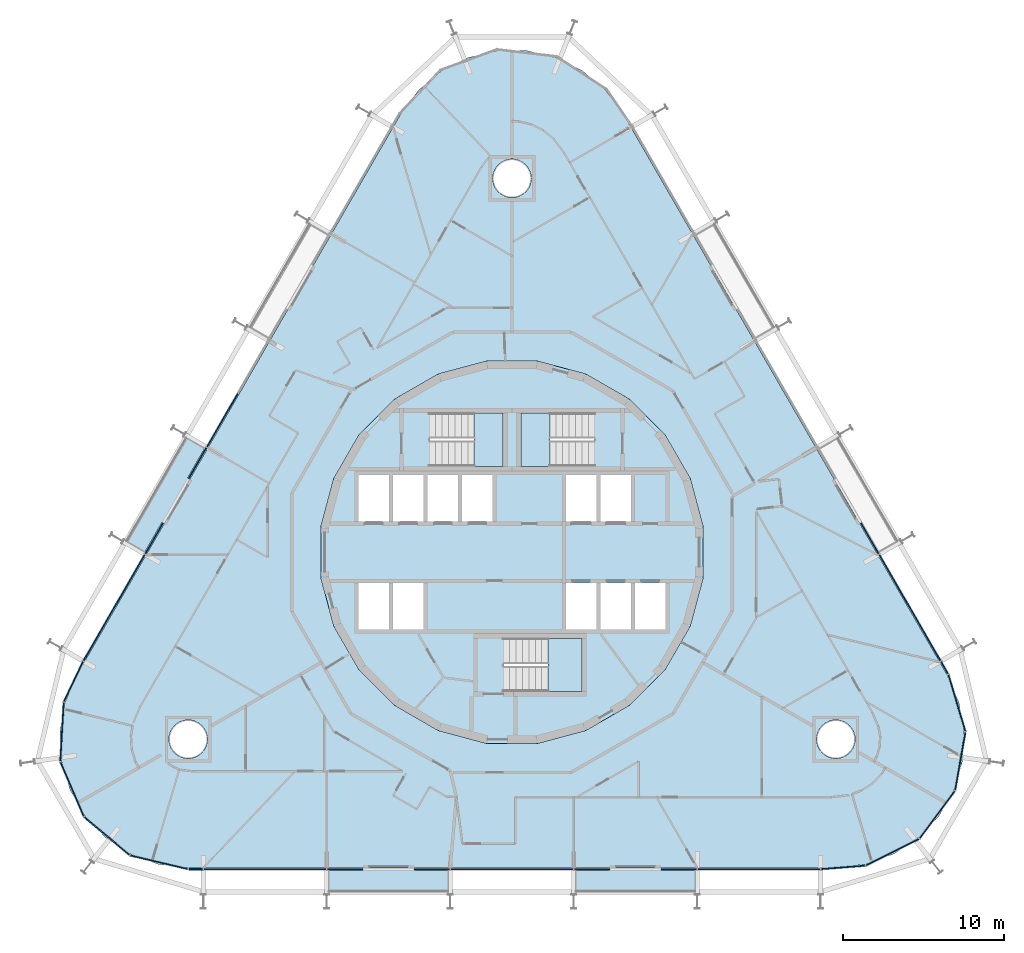
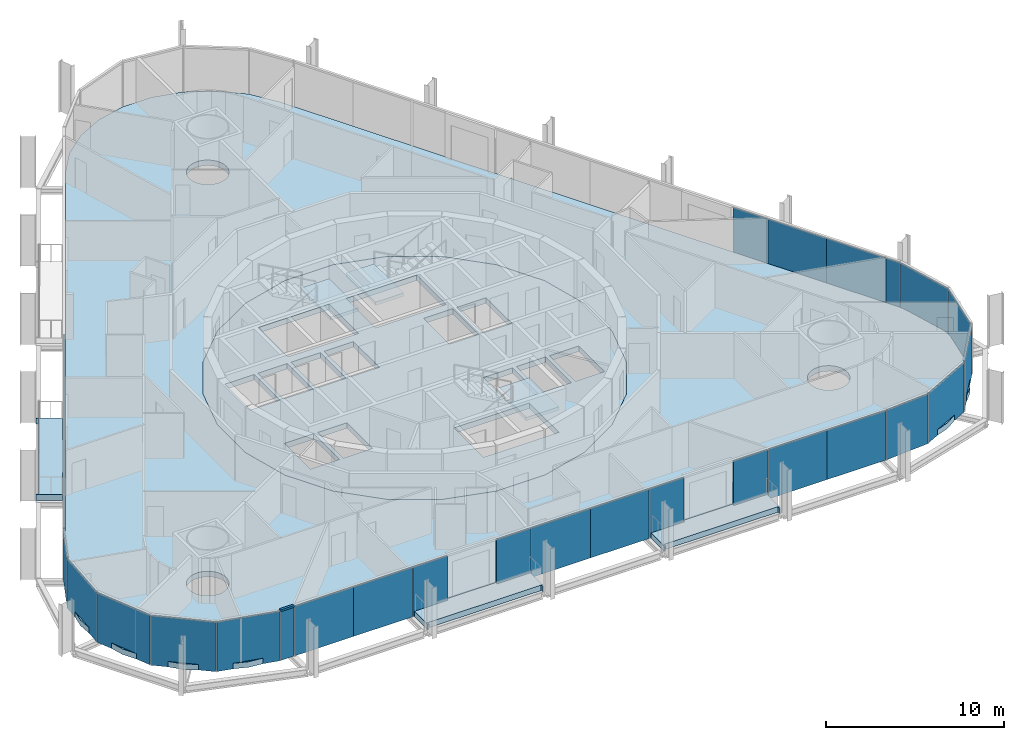
# One storey, part 11 of 20: 30 plates, 8 slabs, 1 member, 8 elements without a shape of their own.
"""IFC4 building model written with IfcOpenShell, lengths in metres."""

from ifc_helpers import new_model, si_unit, direction, frame, origin, origin_2d, place, context, subcontext, project, spatial, polyline, rectangle, outline, extrude, material, layer, layer_set, material_profile, profile_set, type_object, element, aggregate, save


model = new_model("IFC4")

# Units and contexts
model_context = context("Model", 3, precision=1e-05, world=origin(), true_north=direction((0.0, 1.0)))
body_context = subcontext(model_context, "Body", "Model", "MODEL_VIEW")
ifc_project = project(units=[si_unit("LENGTHUNIT", "METRE"), si_unit("AREAUNIT", "SQUARE_METRE"), si_unit("VOLUMEUNIT", "CUBIC_METRE"), si_unit("PLANEANGLEUNIT", "RADIAN"), si_unit("MASSUNIT", "GRAM", prefix="KILO")], contexts=[model_context])

# Site, building, storey
site_placement = place(None, origin())
site = spatial("IfcSite", under=ifc_project, at=site_placement, CompositionType="ELEMENT")
building_placement = place(site_placement, origin())
building = spatial("IfcBuilding", under=site, at=building_placement, Name="Spindle Arch Residences", CompositionType="ELEMENT")
storey_placement = place(building_placement, frame((0.0, 0.0, 59.39990234375)))
storey = spatial("IfcBuildingStorey", under=building, at=storey_placement, Name="L13", CompositionType="ELEMENT", Elevation=59.39990234375)

# Curtain wall, member
ifc_material_1 = material(Name="Aluminium bronze unitised frame with tinted glass", Category="aluminium")
ifc_layer_1 = layer(ifc_material_1, 0.159912109375)
ifc_layer_set_1 = layer_set([ifc_layer_1], Name="CW-D corner wall on the fillet arcs")
curtain_wall_type_1 = type_object("IfcCurtainWallType", Name="CW-D corner wall on the fillet arcs", PredefinedType="NOTDEFINED", material=ifc_layer_set_1)
curtain_wall_1_placement = place(storey_placement, origin())
curtain_wall_1 = element("IfcCurtainWall", 1, at=curtain_wall_1_placement, inside=storey, type_object=curtain_wall_type_1, Name="CW-D L13 run 5", PredefinedType="NOTDEFINED")
ifc_material_2 = material(Name="Aluminium bronze anodised transom", Category="aluminium")
ifc_material_profile = material_profile(ifc_material_2, rectangle(XDim=0.159912109375, YDim=0.1201171875, at=origin_2d()), Name="TR 120x160")
ifc_profile_set = profile_set([ifc_material_profile], Name="Aluminium bronze anodised transom")
member_type = type_object("IfcMemberType", Name="Bronze transom 120x160", PredefinedType="USERDEFINED", material=ifc_profile_set)
member_placement = place(storey_placement, frame((-20.113525390625, -19.7099609375, 3.06005859375), z_axis=(1.0, 0.0, 0.0), x_axis=(0.0, 1.0, 0.0)))
member = element("IfcMember", 2, at=member_placement, type_object=member_type, Name="CW-D transom 05", ObjectType="TRANSOM", PredefinedType="USERDEFINED", context=body_context, shape_type="SweptSolid", body=[
    extrude(rectangle(XDim=0.159912109375, YDim=0.1201171875, at=origin_2d()), origin(), (0.0, 0.0, 1.0), 0.88330078125),
])

# Slabs
ifc_material_3 = material(Name="Concrete C40/50", Category="concrete")
ifc_layer_2 = layer(ifc_material_3, 0.3798828125)
ifc_layer_set_2 = layer_set([ifc_layer_2], Name="Balcony slab 380")
slab_type_1 = type_object("IfcSlabType", Name="Balcony slab 380", PredefinedType="FLOOR", material=ifc_layer_set_2)
slab_1_placement = place(storey_placement, frame((0.0, 0.0, -0.3798828125)))
element("IfcSlab", 3, at=slab_1_placement, inside=storey, type_object=slab_type_1, Name="Balcony L13 bay 1", PredefinedType="FLOOR", context=body_context, shape_type="SweptSolid", body=[
    extrude(outline(polyline([(3.9150390625, -21.280029296875), (3.989990234375, -21.280029296875), (3.989990234375, -21.1298828125), (11.3701171875, -21.1298828125), (11.3701171875, -21.280029296875), (11.445068359375, -21.280029296875), (11.445068359375, -19.789794921875), (9.280029296875, -19.789794921875), (9.280029296875, -19.6298828125), (6.080078125, -19.6298828125), (6.080078125, -19.789794921875), (3.9150390625, -19.789794921875), (3.9150390625, -21.280029296875)])), origin(), (0.0, 0.0, 1.0), 0.3798828125),
])
slab_2_placement = place(storey_placement, frame((0.0, 0.0, -0.3798828125)))
element("IfcSlab", 4, at=slab_2_placement, inside=storey, type_object=slab_type_1, Name="Balcony L13 bay 17", PredefinedType="FLOOR", context=body_context, shape_type="SweptSolid", body=[
    extrude(outline(polyline([(-20.386474609375, 7.24951171875), (-20.424072265625, 7.1845703125), (-20.2939453125, 7.109375), (-23.984130859375, 0.71826171875), (-24.114013671875, 0.793212890625), (-24.151611328125, 0.728271484375), (-22.861083984375, -0.016845703125), (-21.778564453125, 1.858154296875), (-21.64013671875, 1.778076171875), (-20.0400390625, 4.549560546875), (-20.1787109375, 4.62939453125), (-19.09619140625, 6.50439453125), (-20.386474609375, 7.24951171875)])), origin(), (0.0, 0.0, 1.0), 0.3798828125),
])
slab_3_placement = place(storey_placement, frame((0.0, 0.0, -0.3798828125)))
element("IfcSlab", 5, at=slab_3_placement, inside=storey, type_object=slab_type_1, Name="Balcony L13 bay 23", PredefinedType="FLOOR", context=body_context, shape_type="SweptSolid", body=[
    extrude(outline(polyline([(-11.445068359375, -21.280029296875), (-11.3701171875, -21.280029296875), (-11.3701171875, -21.1298828125), (-3.989990234375, -21.1298828125), (-3.989990234375, -21.280029296875), (-3.9150390625, -21.280029296875), (-3.9150390625, -19.789794921875), (-6.080078125, -19.789794921875), (-6.080078125, -19.6298828125), (-9.280029296875, -19.6298828125), (-9.280029296875, -19.789794921875), (-11.445068359375, -19.789794921875), (-11.445068359375, -21.280029296875)])), origin(), (0.0, 0.0, 1.0), 0.3798828125),
])
ifc_material_4 = material(Name="Concrete C50/60", Category="concrete")
ifc_layer_3 = layer(ifc_material_4, 0.3798828125)
ifc_layer_set_3 = layer_set([ifc_layer_3], Name="Core floor slab 380")
slab_type_2 = type_object("IfcSlabType", Name="Core floor slab 380", PredefinedType="FLOOR", material=ifc_layer_set_3)
slab_4_placement = place(storey_placement, frame((0.0, 0.0, -0.3798828125)))
element("IfcSlab", 6, at=slab_4_placement, inside=storey, type_object=slab_type_2, Name="Core floor L13", PredefinedType="FLOOR", context=body_context, shape_type="SweptSolid", body=[
    extrude(outline(polyline([(1.56640625, -11.897216796875), (4.59228515625, -11.086669921875), (7.30517578125, -9.520263671875), (9.520263671875, -7.30517578125), (11.086669921875, -4.59228515625), (11.897216796875, -1.56640625), (11.897216796875, 1.56640625), (11.086669921875, 4.59228515625), (9.520263671875, 7.30517578125), (7.30517578125, 9.520263671875), (4.59228515625, 11.086669921875), (1.56640625, 11.897216796875), (-1.56640625, 11.897216796875), (-4.59228515625, 11.086669921875), (-7.30517578125, 9.520263671875), (-9.520263671875, 7.30517578125), (-11.086669921875, 4.59228515625), (-11.897216796875, 1.56640625), (-11.897216796875, -1.56640625), (-11.086669921875, -4.59228515625), (-9.520263671875, -7.30517578125), (-7.30517578125, -9.520263671875), (-4.59228515625, -11.086669921875), (-1.56640625, -11.897216796875), (1.56640625, -11.897216796875)]), holes=[polyline([(-9.550048828125, 1.89990234375), (-7.64990234375, 1.89990234375), (-7.64990234375, 4.800048828125), (-9.550048828125, 4.800048828125), (-9.550048828125, 1.89990234375)]), polyline([(-7.39990234375, 1.89990234375), (-5.5, 1.89990234375), (-5.5, 4.800048828125), (-7.39990234375, 4.800048828125), (-7.39990234375, 1.89990234375)]), polyline([(-5.25, 1.89990234375), (-3.35009765625, 1.89990234375), (-3.35009765625, 4.800048828125), (-5.25, 4.800048828125), (-5.25, 1.89990234375)]), polyline([(-3.10009765625, 1.89990234375), (-1.199951171875, 1.89990234375), (-1.199951171875, 4.800048828125), (-3.10009765625, 4.800048828125), (-3.10009765625, 1.89990234375)]), polyline([(3.35009765625, 1.89990234375), (5.25, 1.89990234375), (5.25, 4.800048828125), (3.35009765625, 4.800048828125), (3.35009765625, 1.89990234375)]), polyline([(5.5, 1.89990234375), (7.39990234375, 1.89990234375), (7.39990234375, 4.800048828125), (5.5, 4.800048828125), (5.5, 1.89990234375)]), polyline([(-9.550048828125, -4.800048828125), (-7.64990234375, -4.800048828125), (-7.64990234375, -1.89990234375), (-9.550048828125, -1.89990234375), (-9.550048828125, -4.800048828125)]), polyline([(-7.39990234375, -4.800048828125), (-5.5, -4.800048828125), (-5.5, -1.89990234375), (-7.39990234375, -1.89990234375), (-7.39990234375, -4.800048828125)]), polyline([(3.35009765625, -4.800048828125), (5.25, -4.800048828125), (5.25, -1.89990234375), (3.35009765625, -1.89990234375), (3.35009765625, -4.800048828125)]), polyline([(5.5, -4.800048828125), (7.39990234375, -4.800048828125), (7.39990234375, -1.89990234375), (5.5, -1.89990234375), (5.5, -4.800048828125)]), polyline([(7.64990234375, -4.800048828125), (9.550048828125, -4.800048828125), (9.550048828125, -1.89990234375), (7.64990234375, -1.89990234375), (7.64990234375, -4.800048828125)]), polyline([(5.1298828125, 8.669921875), (0.550048828125, 8.669921875), (0.550048828125, 5.35009765625), (5.1298828125, 5.35009765625), (5.1298828125, 8.669921875)]), polyline([(-5.1298828125, 5.35009765625), (-0.550048828125, 5.35009765625), (-0.550048828125, 8.669921875), (-5.1298828125, 8.669921875), (-5.1298828125, 5.35009765625)]), polyline([(-0.530029296875, -8.669921875), (4.35009765625, -8.669921875), (4.35009765625, -5.35009765625), (-0.530029296875, -5.35009765625), (-0.530029296875, -8.669921875)])]), origin(), (0.0, 0.0, 1.0), 0.3798828125),
])

# Stair, slab
ifc_material_5 = material(Name="Concrete C50/60", Category="concrete")
stair_type = type_object("IfcStairType", Name="Exit stair 16 risers", PredefinedType="HALF_TURN_STAIR", material=ifc_material_5)
stair_1_placement = place(storey_placement, origin())
stair_1 = element("IfcStair", 7, at=stair_1_placement, inside=storey, type_object=stair_type, Name="L13 Exit stair ST1", PredefinedType="HALF_TURN_STAIR")
ifc_material_6 = material(Name="Concrete C50/60", Category="concrete")
ifc_layer_4 = layer(ifc_material_6, 0.219970703125)
ifc_layer_set_4 = layer_set([ifc_layer_4], Name="Exit stair landing 220")
slab_type_3 = type_object("IfcSlabType", Name="Exit stair landing 220", PredefinedType="LANDING", material=ifc_layer_set_4)
slab_5_placement = place(storey_placement, frame((0.0, 0.0, 1.530029296875)))
slab_5 = element("IfcSlab", 8, at=slab_5_placement, type_object=slab_type_3, Name="ST1 landing 1", PredefinedType="LANDING", context=body_context, shape_type="SweptSolid", body=[
    extrude(outline(polyline([(2.3701171875, 8.669921875), (0.550048828125, 8.669921875), (0.550048828125, 5.35009765625), (2.3701171875, 5.35009765625), (2.3701171875, 8.669921875)])), origin(), (0.0, 0.0, 1.0), 0.219970703125),
])
aggregate(stair_1, [slab_5])

stair_2_placement = place(storey_placement, origin())
stair_2 = element("IfcStair", 9, at=stair_2_placement, inside=storey, type_object=stair_type, Name="L13 Exit stair ST2", PredefinedType="HALF_TURN_STAIR")
slab_6_placement = place(storey_placement, frame((0.0, 0.0, 1.530029296875)))
slab_6 = element("IfcSlab", 10, at=slab_6_placement, type_object=slab_type_3, Name="ST2 landing 1", PredefinedType="LANDING", context=body_context, shape_type="SweptSolid", body=[
    extrude(outline(polyline([(-2.3701171875, 5.35009765625), (-0.550048828125, 5.35009765625), (-0.550048828125, 8.669921875), (-2.3701171875, 8.669921875), (-2.3701171875, 5.35009765625)])), origin(), (0.0, 0.0, 1.0), 0.219970703125),
])
aggregate(stair_2, [slab_6])

stair_3_placement = place(storey_placement, origin())
stair_3 = element("IfcStair", 11, at=stair_3_placement, inside=storey, type_object=stair_type, Name="L13 Exit stair ST3", PredefinedType="HALF_TURN_STAIR")
slab_7_placement = place(storey_placement, frame((0.0, 0.0, 1.530029296875)))
slab_7 = element("IfcSlab", 12, at=slab_7_placement, type_object=slab_type_3, Name="ST3 landing 1", PredefinedType="LANDING", context=body_context, shape_type="SweptSolid", body=[
    extrude(outline(polyline([(2.22998046875, -8.669921875), (4.35009765625, -8.669921875), (4.35009765625, -5.35009765625), (2.22998046875, -5.35009765625), (2.22998046875, -8.669921875)])), origin(), (0.0, 0.0, 1.0), 0.219970703125),
])
aggregate(stair_3, [slab_7])

# Slab
ifc_material_7 = material(Name="Concrete C40/50", Category="concrete")
ifc_layer_5 = layer(ifc_material_7, 0.3798828125)
ifc_layer_set_5 = layer_set([ifc_layer_5], Name="Floor slab 380")
slab_type_4 = type_object("IfcSlabType", Name="Floor slab 380", PredefinedType="FLOOR", material=ifc_layer_set_5)
slab_8_placement = place(storey_placement, frame((0.0, 0.0, -0.3798828125)))
element("IfcSlab", 13, at=slab_8_placement, inside=storey, type_object=slab_type_4, Name="Floor slab L13", PredefinedType="FLOOR", context=body_context, shape_type="SweptSolid", body=[
    extrude(outline(polyline([(-21.988525390625, -19.414306640625), (-23.73388671875, -18.779052734375), (-25.285888671875, -17.75830078125), (-26.560546875, -16.4072265625), (-27.4892578125, -14.798583984375), (-28.022216796875, -13.01904296875), (-28.130126953125, -11.164794921875), (-27.8076171875, -9.33544921875), (-27.07177734375, -7.6298828125), (-6.92822265625, 27.259765625), (-5.819091796875, 28.749755859375), (-4.39599609375, 29.943603515625), (-2.736083984375, 30.77734375), (-0.9287109375, 31.205810546875), (0.9287109375, 31.205810546875), (2.736083984375, 30.77734375), (4.39599609375, 29.943603515625), (5.819091796875, 28.749755859375), (6.92822265625, 27.259765625), (27.07177734375, -7.6298828125), (27.8076171875, -9.33544921875), (28.130126953125, -11.164794921875), (28.022216796875, -13.01904296875), (27.4892578125, -14.798583984375), (26.560546875, -16.4072265625), (25.285888671875, -17.75830078125), (23.73388671875, -18.779052734375), (21.988525390625, -19.414306640625), (20.1435546875, -19.6298828125), (0.0, -19.6298828125), (-20.1435546875, -19.6298828125), (-21.988525390625, -19.414306640625)]), holes=[polyline([(7.30517578125, -9.520263671875), (9.520263671875, -7.30517578125), (11.086669921875, -4.59228515625), (11.897216796875, -1.56640625), (11.897216796875, 1.56640625), (11.086669921875, 4.59228515625), (9.520263671875, 7.30517578125), (7.30517578125, 9.520263671875), (4.59228515625, 11.086669921875), (1.56640625, 11.897216796875), (-1.56640625, 11.897216796875), (-4.59228515625, 11.086669921875), (-7.30517578125, 9.520263671875), (-9.520263671875, 7.30517578125), (-11.086669921875, 4.59228515625), (-11.897216796875, 1.56640625), (-11.897216796875, -1.56640625), (-11.086669921875, -4.59228515625), (-9.520263671875, -7.30517578125), (-7.30517578125, -9.520263671875), (-4.59228515625, -11.086669921875), (-1.56640625, -11.897216796875), (1.56640625, -11.897216796875), (4.59228515625, -11.086669921875), (7.30517578125, -9.520263671875)]), polyline([(-19.295166015625, -12.478515625), (-19.145751953125, -12.296630859375), (-19.034912109375, -12.089111328125), (-18.966796875, -11.864013671875), (-18.943603515625, -11.6298828125), (-18.966796875, -11.395751953125), (-19.034912109375, -11.170654296875), (-19.145751953125, -10.963134765625), (-19.295166015625, -10.781494140625), (-19.476806640625, -10.632080078125), (-19.684326171875, -10.521240234375), (-19.909423828125, -10.452880859375), (-20.1435546875, -10.429931640625), (-20.377685546875, -10.452880859375), (-20.602783203125, -10.521240234375), (-20.810302734375, -10.632080078125), (-20.9921875, -10.781494140625), (-21.141357421875, -10.963134765625), (-21.252197265625, -11.170654296875), (-21.320556640625, -11.395751953125), (-21.343505859375, -11.6298828125), (-21.320556640625, -11.864013671875), (-21.252197265625, -12.089111328125), (-21.141357421875, -12.296630859375), (-20.9921875, -12.478515625), (-20.810302734375, -12.627685546875), (-20.602783203125, -12.738525390625), (-20.377685546875, -12.806884765625), (-20.1435546875, -12.829833984375), (-19.909423828125, -12.806884765625), (-19.684326171875, -12.738525390625), (-19.476806640625, -12.627685546875), (-19.295166015625, -12.478515625)]), polyline([(0.848388671875, 22.411376953125), (0.997802734375, 22.593017578125), (1.108642578125, 22.800537109375), (1.177001953125, 23.025634765625), (1.199951171875, 23.259765625), (1.177001953125, 23.493896484375), (1.108642578125, 23.718994140625), (0.997802734375, 23.926513671875), (0.848388671875, 24.1083984375), (0.666748046875, 24.257568359375), (0.459228515625, 24.368408203125), (0.234130859375, 24.436767578125), (0.0, 24.459716796875), (-0.234130859375, 24.436767578125), (-0.459228515625, 24.368408203125), (-0.666748046875, 24.257568359375), (-0.848388671875, 24.1083984375), (-0.997802734375, 23.926513671875), (-1.108642578125, 23.718994140625), (-1.177001953125, 23.493896484375), (-1.199951171875, 23.259765625), (-1.177001953125, 23.025634765625), (-1.108642578125, 22.800537109375), (-0.997802734375, 22.593017578125), (-0.848388671875, 22.411376953125), (-0.666748046875, 22.261962890625), (-0.459228515625, 22.151123046875), (-0.234130859375, 22.0830078125), (0.0, 22.059814453125), (0.234130859375, 22.0830078125), (0.459228515625, 22.151123046875), (0.666748046875, 22.261962890625), (0.848388671875, 22.411376953125)]), polyline([(20.9921875, -12.478515625), (21.141357421875, -12.296630859375), (21.252197265625, -12.089111328125), (21.320556640625, -11.864013671875), (21.343505859375, -11.6298828125), (21.320556640625, -11.395751953125), (21.252197265625, -11.170654296875), (21.141357421875, -10.963134765625), (20.9921875, -10.781494140625), (20.810302734375, -10.632080078125), (20.602783203125, -10.521240234375), (20.377685546875, -10.452880859375), (20.1435546875, -10.429931640625), (19.909423828125, -10.452880859375), (19.684326171875, -10.521240234375), (19.476806640625, -10.632080078125), (19.295166015625, -10.781494140625), (19.145751953125, -10.963134765625), (19.034912109375, -11.170654296875), (18.966796875, -11.395751953125), (18.943603515625, -11.6298828125), (18.966796875, -11.864013671875), (19.034912109375, -12.089111328125), (19.145751953125, -12.296630859375), (19.295166015625, -12.478515625), (19.476806640625, -12.627685546875), (19.684326171875, -12.738525390625), (19.909423828125, -12.806884765625), (20.1435546875, -12.829833984375), (20.377685546875, -12.806884765625), (20.602783203125, -12.738525390625), (20.810302734375, -12.627685546875), (20.9921875, -12.478515625)])]), origin(), (0.0, 0.0, 1.0), 0.3798828125),
])

# Curtain wall, plates
curtain_wall_2_placement = place(storey_placement, origin())
curtain_wall_2 = element("IfcCurtainWall", 14, at=curtain_wall_2_placement, inside=storey, type_object=curtain_wall_type_1, Name="CW-D L13 run 1", PredefinedType="NOTDEFINED")
ifc_material_8 = material(Name="Tinted double glazing over non-combustible spandrel zone with 0.55 mm stainless steel cavity fire stop (K0)", Category="steel")
ifc_layer_6 = layer(ifc_material_8, 0.070068359375)
ifc_layer_set_6 = layer_set([ifc_layer_6], Name="Unitised glass panel with spandrel zone and stainless cavity fire stop")
plate_type = type_object("IfcPlateType", Name="Unitised glass panel with spandrel zone and stainless cavity fire stop", PredefinedType="CURTAIN_PANEL", material=ifc_layer_set_6)
plate_1_placement = place(storey_placement, frame((20.603515625, -19.60107421875, -0.3798828125), z_axis=(0.0, 0.0, 1.0), x_axis=(0.997002907861, 0.077364085451, 0.0)))
plate_1 = element("IfcPlate", 15, at=plate_1_placement, type_object=plate_type, Name="CW-D unit 00", PredefinedType="CURTAIN_PANEL", context=body_context, shape_type="SweptSolid", body=[
    extrude(rectangle(XDim=2.755126953125, YDim=0.070068359375, at=origin_2d()), origin(), (0.0, 0.0, 1.0), 3.3798828125),
])
plate_2_placement = place(storey_placement, frame((23.672119140625, -18.65576171875, -0.3798828125), z_axis=(0.0, 0.0, 1.0), x_axis=(0.893632642326, 0.448799176213, 0.0)))
plate_2 = element("IfcPlate", 16, at=plate_2_placement, type_object=plate_type, Name="CW-D unit 01", PredefinedType="CURTAIN_PANEL", context=body_context, shape_type="SweptSolid", body=[
    extrude(rectangle(XDim=3.666748046875, YDim=0.070068359375, at=origin_2d()), origin(), (0.0, 0.0, 1.0), 3.3798828125),
])
plate_3_placement = place(storey_placement, frame((26.449951171875, -16.324951171875, -0.3798828125), z_axis=(0.0, 0.0, 1.0), x_axis=(0.597158595823, 0.802123189687, 0.0)))
plate_3 = element("IfcPlate", 17, at=plate_3_placement, type_object=plate_type, Name="CW-D unit 02", PredefinedType="CURTAIN_PANEL", context=body_context, shape_type="SweptSolid", body=[
    extrude(rectangle(XDim=3.666748046875, YDim=0.070068359375, at=origin_2d()), origin(), (0.0, 0.0, 1.0), 3.3798828125),
])
plate_4_placement = place(storey_placement, frame((27.88623046875, -12.9951171875, -0.3798828125), z_axis=(0.0, 0.0, 1.0), x_axis=(0.173648181019, 0.984807752421, 0.0)))
plate_4 = element("IfcPlate", 18, at=plate_4_placement, type_object=plate_type, Name="CW-D unit 03", PredefinedType="CURTAIN_PANEL", context=body_context, shape_type="SweptSolid", body=[
    extrude(rectangle(XDim=3.666748046875, YDim=0.070068359375, at=origin_2d()), origin(), (0.0, 0.0, 1.0), 3.3798828125),
])
plate_5_placement = place(storey_placement, frame((27.675537109375, -9.375, -0.3798828125), z_axis=(0.0, 0.0, 1.0), x_axis=(-0.28680323051, 0.957989512975, 0.0)))
plate_5 = element("IfcPlate", 19, at=plate_5_placement, type_object=plate_type, Name="CW-D unit 04", PredefinedType="CURTAIN_PANEL", context=body_context, shape_type="SweptSolid", body=[
    extrude(rectangle(XDim=3.666748046875, YDim=0.070068359375, at=origin_2d()), origin(), (0.0, 0.0, 1.0), 3.3798828125),
])
plate_6_placement = place(storey_placement, frame((26.9052734375, -7.181396484375, -0.3798828125), z_axis=(0.0, 0.0, 1.0), x_axis=(-0.5, 0.866025403784, 0.0)))
plate_6 = element("IfcPlate", 20, at=plate_6_placement, type_object=plate_type, Name="CW-D unit 05", PredefinedType="CURTAIN_PANEL", context=body_context, shape_type="SweptSolid", body=[
    extrude(rectangle(XDim=0.88330078125, YDim=0.070068359375, at=origin_2d()), origin(), (0.0, 0.0, 1.0), 3.3798828125),
])
aggregate(curtain_wall_2, [plate_1, plate_2, plate_3, plate_4, plate_5, plate_6])

ifc_material_9 = material(Name="Aluminium bronze unitised frame with tinted glass", Category="aluminium")
ifc_layer_7 = layer(ifc_material_9, 0.159912109375)
ifc_layer_set_7 = layer_set([ifc_layer_7], Name="CW-C typical residential unitised wall")
curtain_wall_type_2 = type_object("IfcCurtainWallType", Name="CW-C typical residential unitised wall", PredefinedType="NOTDEFINED", material=ifc_layer_set_7)
curtain_wall_3_placement = place(storey_placement, origin())
curtain_wall_3 = element("IfcCurtainWall", 21, at=curtain_wall_3_placement, inside=storey, type_object=curtain_wall_type_2, Name="CW-C L13 run 2", PredefinedType="NOTDEFINED")
plate_7_placement = place(storey_placement, frame((25.701904296875, -5.09716796875, -0.3798828125), z_axis=(0.0, 0.0, 1.0), x_axis=(-0.5, 0.866025403784, 0.0)))
plate_7 = element("IfcPlate", 22, at=plate_7_placement, type_object=plate_type, Name="CW-C unit 05A", PredefinedType="CURTAIN_PANEL", context=body_context, shape_type="SweptSolid", body=[
    extrude(rectangle(XDim=3.81005859375, YDim=0.070068359375, at=origin_2d()), origin(), (0.0, 0.0, 1.0), 3.3798828125),
])
plate_8_placement = place(storey_placement, frame((23.796875, -1.797607421875, -0.3798828125), z_axis=(0.0, 0.0, 1.0), x_axis=(-0.5, 0.866025403784, 0.0)))
plate_8 = element("IfcPlate", 23, at=plate_8_placement, type_object=plate_type, Name="CW-C unit 05B", PredefinedType="CURTAIN_PANEL", context=body_context, shape_type="SweptSolid", body=[
    extrude(rectangle(XDim=3.81005859375, YDim=0.070068359375, at=origin_2d()), origin(), (0.0, 0.0, 1.0), 3.3798828125),
])
plate_9_placement = place(storey_placement, frame((22.26171875, 0.861083984375, -0.3798828125), z_axis=(0.0, 0.0, 1.0), x_axis=(-0.5, 0.866025403784, 0.0)))
plate_9 = element("IfcPlate", 24, at=plate_9_placement, type_object=plate_type, Name="CW-C unit 06L", PredefinedType="CURTAIN_PANEL", context=body_context, shape_type="SweptSolid", body=[
    extrude(rectangle(XDim=2.2099609375, YDim=0.070068359375, at=origin_2d()), origin(), (0.0, 0.0, 1.0), 3.3798828125),
])
aggregate(curtain_wall_3, [plate_7, plate_8, plate_9])

curtain_wall_4_placement = place(storey_placement, origin())
curtain_wall_4 = element("IfcCurtainWall", 25, at=curtain_wall_4_placement, inside=storey, type_object=curtain_wall_type_2, Name="CW-C L13 run 4", PredefinedType="NOTDEFINED")
plate_10_placement = place(storey_placement, frame((-18.021728515625, 8.205078125, -0.3798828125), z_axis=(0.0, 0.0, 1.0), x_axis=(-0.5, -0.866025403784, 0.0)))
plate_10 = element("IfcPlate", 26, at=plate_10_placement, type_object=plate_type, Name="CW-C unit 15B", PredefinedType="CURTAIN_PANEL", context=body_context, shape_type="SweptSolid", body=[
    extrude(rectangle(XDim=3.81005859375, YDim=0.070068359375, at=origin_2d()), origin(), (0.0, 0.0, 1.0), 3.3798828125),
])
plate_11_placement = place(storey_placement, frame((-19.556884765625, 5.54638671875, -0.3798828125), z_axis=(0.0, 0.0, 1.0), x_axis=(-0.5, -0.866025403784, 0.0)))
plate_11 = element("IfcPlate", 27, at=plate_11_placement, type_object=plate_type, Name="CW-C unit 16L", PredefinedType="CURTAIN_PANEL", context=body_context, shape_type="SweptSolid", body=[
    extrude(rectangle(XDim=2.2099609375, YDim=0.070068359375, at=origin_2d()), origin(), (0.0, 0.0, 1.0), 3.3798828125),
])
plate_12_placement = place(storey_placement, frame((-22.26171875, 0.861083984375, -0.3798828125), z_axis=(0.0, 0.0, 1.0), x_axis=(-0.5, -0.866025403784, 0.0)))
plate_12 = element("IfcPlate", 28, at=plate_12_placement, type_object=plate_type, Name="CW-C unit 16R", PredefinedType="CURTAIN_PANEL", context=body_context, shape_type="SweptSolid", body=[
    extrude(rectangle(XDim=2.2099609375, YDim=0.070068359375, at=origin_2d()), origin(), (0.0, 0.0, 1.0), 3.3798828125),
])
plate_13_placement = place(storey_placement, frame((-23.796875, -1.797607421875, -0.3798828125), z_axis=(0.0, 0.0, 1.0), x_axis=(-0.5, -0.866025403784, 0.0)))
plate_13 = element("IfcPlate", 29, at=plate_13_placement, type_object=plate_type, Name="CW-C unit 17A", PredefinedType="CURTAIN_PANEL", context=body_context, shape_type="SweptSolid", body=[
    extrude(rectangle(XDim=3.81005859375, YDim=0.070068359375, at=origin_2d()), origin(), (0.0, 0.0, 1.0), 3.3798828125),
])
plate_14_placement = place(storey_placement, frame((-25.701904296875, -5.09716796875, -0.3798828125), z_axis=(0.0, 0.0, 1.0), x_axis=(-0.5, -0.866025403784, 0.0)))
plate_14 = element("IfcPlate", 30, at=plate_14_placement, type_object=plate_type, Name="CW-C unit 17B", PredefinedType="CURTAIN_PANEL", context=body_context, shape_type="SweptSolid", body=[
    extrude(rectangle(XDim=3.81005859375, YDim=0.070068359375, at=origin_2d()), origin(), (0.0, 0.0, 1.0), 3.3798828125),
])
aggregate(curtain_wall_4, [plate_10, plate_11, plate_12, plate_13, plate_14])

# Plate
plate_15_placement = place(storey_placement, frame((-27.27685546875, -8.042724609375, -0.3798828125), z_axis=(0.0, 0.0, 1.0), x_axis=(-0.431502189519, -0.902111889092, 0.0)))
plate_15 = element("IfcPlate", 31, at=plate_15_placement, type_object=plate_type, Name="CW-D unit 00", PredefinedType="CURTAIN_PANEL", context=body_context, shape_type="SweptSolid", body=[
    extrude(rectangle(XDim=2.755126953125, YDim=0.070068359375, at=origin_2d()), origin(), (0.0, 0.0, 1.0), 3.3798828125),
])

plate_16_placement = place(storey_placement, frame((-27.992431640625, -11.1728515625, -0.3798828125), z_axis=(0.0, 0.0, 1.0), x_axis=(-0.058144829968, -0.99830815821, 0.0)))
plate_16 = element("IfcPlate", 32, at=plate_16_placement, type_object=plate_type, Name="CW-D unit 01", PredefinedType="CURTAIN_PANEL", context=body_context, shape_type="SweptSolid", body=[
    extrude(rectangle(XDim=3.666748046875, YDim=0.070068359375, at=origin_2d()), origin(), (0.0, 0.0, 1.0), 3.3798828125),
])

plate_17_placement = place(storey_placement, frame((-27.36279296875, -14.743896484375, -0.3798828125), z_axis=(0.0, 0.0, 1.0), x_axis=(0.396079766691, -0.918216106599, 0.0)))
plate_17 = element("IfcPlate", 33, at=plate_17_placement, type_object=plate_type, Name="CW-D unit 02", PredefinedType="CURTAIN_PANEL", context=body_context, shape_type="SweptSolid", body=[
    extrude(rectangle(XDim=3.666748046875, YDim=0.070068359375, at=origin_2d()), origin(), (0.0, 0.0, 1.0), 3.3798828125),
])

plate_18_placement = place(storey_placement, frame((-25.197265625, -17.652587890625, -0.3798828125), z_axis=(0.0, 0.0, 1.0), x_axis=(0.766044445239, -0.64278760716, 0.0)))
plate_18 = element("IfcPlate", 34, at=plate_18_placement, type_object=plate_type, Name="CW-D unit 03", PredefinedType="CURTAIN_PANEL", context=body_context, shape_type="SweptSolid", body=[
    extrude(rectangle(XDim=3.666748046875, YDim=0.070068359375, at=origin_2d()), origin(), (0.0, 0.0, 1.0), 3.3798828125),
])

plate_19_placement = place(storey_placement, frame((-21.956787109375, -19.2802734375, -0.3798828125), z_axis=(0.0, 0.0, 1.0), x_axis=(0.973044871028, -0.230615868852, 0.0)))
plate_19 = element("IfcPlate", 35, at=plate_19_placement, type_object=plate_type, Name="CW-D unit 04", PredefinedType="CURTAIN_PANEL", context=body_context, shape_type="SweptSolid", body=[
    extrude(rectangle(XDim=3.666748046875, YDim=0.070068359375, at=origin_2d()), origin(), (0.0, 0.0, 1.0), 3.3798828125),
])

plate_20_placement = place(storey_placement, frame((-19.671875, -19.7099609375, -0.3798828125), z_axis=(0.0, 0.0, 1.0), x_axis=(1.0, 0.0, 0.0)))
plate_20 = element("IfcPlate", 36, at=plate_20_placement, type_object=plate_type, Name="CW-D unit 05", PredefinedType="CURTAIN_PANEL", context=body_context, shape_type="SweptSolid", body=[
    extrude(rectangle(XDim=0.88330078125, YDim=0.070068359375, at=origin_2d()), origin(), (0.0, 0.0, 1.0), 3.3798828125),
])

aggregate(curtain_wall_1, [plate_15, plate_16, plate_17, plate_18, plate_19, member, plate_20])

# Curtain wall, plates
curtain_wall_5_placement = place(storey_placement, origin())
curtain_wall_5 = element("IfcCurtainWall", 37, at=curtain_wall_5_placement, inside=storey, type_object=curtain_wall_type_2, Name="CW-C L13 run 6", PredefinedType="NOTDEFINED")
plate_21_placement = place(storey_placement, frame((-17.26513671875, -19.7099609375, -0.3798828125), z_axis=(0.0, 0.0, 1.0), x_axis=(1.0, 0.0, 0.0)))
plate_21 = element("IfcPlate", 38, at=plate_21_placement, type_object=plate_type, Name="CW-C unit 21A", PredefinedType="CURTAIN_PANEL", context=body_context, shape_type="SweptSolid", body=[
    extrude(rectangle(XDim=3.81005859375, YDim=0.070068359375, at=origin_2d()), origin(), (0.0, 0.0, 1.0), 3.3798828125),
])
plate_22_placement = place(storey_placement, frame((-13.455078125, -19.7099609375, -0.3798828125), z_axis=(0.0, 0.0, 1.0), x_axis=(1.0, 0.0, 0.0)))
plate_22 = element("IfcPlate", 39, at=plate_22_placement, type_object=plate_type, Name="CW-C unit 21B", PredefinedType="CURTAIN_PANEL", context=body_context, shape_type="SweptSolid", body=[
    extrude(rectangle(XDim=3.81005859375, YDim=0.070068359375, at=origin_2d()), origin(), (0.0, 0.0, 1.0), 3.3798828125),
])
plate_23_placement = place(storey_placement, frame((-10.385009765625, -19.7099609375, -0.3798828125), z_axis=(0.0, 0.0, 1.0), x_axis=(1.0, 0.0, 0.0)))
plate_23 = element("IfcPlate", 40, at=plate_23_placement, type_object=plate_type, Name="CW-C unit 22L", PredefinedType="CURTAIN_PANEL", context=body_context, shape_type="SweptSolid", body=[
    extrude(rectangle(XDim=2.2099609375, YDim=0.070068359375, at=origin_2d()), origin(), (0.0, 0.0, 1.0), 3.3798828125),
])
plate_24_placement = place(storey_placement, frame((-4.97509765625, -19.7099609375, -0.3798828125), z_axis=(0.0, 0.0, 1.0), x_axis=(1.0, 0.0, 0.0)))
plate_24 = element("IfcPlate", 41, at=plate_24_placement, type_object=plate_type, Name="CW-C unit 22R", PredefinedType="CURTAIN_PANEL", context=body_context, shape_type="SweptSolid", body=[
    extrude(rectangle(XDim=2.2099609375, YDim=0.070068359375, at=origin_2d()), origin(), (0.0, 0.0, 1.0), 3.3798828125),
])
plate_25_placement = place(storey_placement, frame((-1.905029296875, -19.7099609375, -0.3798828125), z_axis=(0.0, 0.0, 1.0), x_axis=(1.0, 0.0, 0.0)))
plate_25 = element("IfcPlate", 42, at=plate_25_placement, type_object=plate_type, Name="CW-C unit 23A", PredefinedType="CURTAIN_PANEL", context=body_context, shape_type="SweptSolid", body=[
    extrude(rectangle(XDim=3.81005859375, YDim=0.070068359375, at=origin_2d()), origin(), (0.0, 0.0, 1.0), 3.3798828125),
])
plate_26_placement = place(storey_placement, frame((1.905029296875, -19.7099609375, -0.3798828125), z_axis=(0.0, 0.0, 1.0), x_axis=(1.0, 0.0, 0.0)))
plate_26 = element("IfcPlate", 43, at=plate_26_placement, type_object=plate_type, Name="CW-C unit 23B", PredefinedType="CURTAIN_PANEL", context=body_context, shape_type="SweptSolid", body=[
    extrude(rectangle(XDim=3.81005859375, YDim=0.070068359375, at=origin_2d()), origin(), (0.0, 0.0, 1.0), 3.3798828125),
])
plate_27_placement = place(storey_placement, frame((4.97509765625, -19.7099609375, -0.3798828125), z_axis=(0.0, 0.0, 1.0), x_axis=(1.0, 0.0, 0.0)))
plate_27 = element("IfcPlate", 44, at=plate_27_placement, type_object=plate_type, Name="CW-C unit 00L", PredefinedType="CURTAIN_PANEL", context=body_context, shape_type="SweptSolid", body=[
    extrude(rectangle(XDim=2.2099609375, YDim=0.070068359375, at=origin_2d()), origin(), (0.0, 0.0, 1.0), 3.3798828125),
])
plate_28_placement = place(storey_placement, frame((10.385009765625, -19.7099609375, -0.3798828125), z_axis=(0.0, 0.0, 1.0), x_axis=(1.0, 0.0, 0.0)))
plate_28 = element("IfcPlate", 45, at=plate_28_placement, type_object=plate_type, Name="CW-C unit 00R", PredefinedType="CURTAIN_PANEL", context=body_context, shape_type="SweptSolid", body=[
    extrude(rectangle(XDim=2.2099609375, YDim=0.070068359375, at=origin_2d()), origin(), (0.0, 0.0, 1.0), 3.3798828125),
])
plate_29_placement = place(storey_placement, frame((13.455078125, -19.7099609375, -0.3798828125), z_axis=(0.0, 0.0, 1.0), x_axis=(1.0, 0.0, 0.0)))
plate_29 = element("IfcPlate", 46, at=plate_29_placement, type_object=plate_type, Name="CW-C unit 01A", PredefinedType="CURTAIN_PANEL", context=body_context, shape_type="SweptSolid", body=[
    extrude(rectangle(XDim=3.81005859375, YDim=0.070068359375, at=origin_2d()), origin(), (0.0, 0.0, 1.0), 3.3798828125),
])
plate_30_placement = place(storey_placement, frame((17.26513671875, -19.7099609375, -0.3798828125), z_axis=(0.0, 0.0, 1.0), x_axis=(1.0, 0.0, 0.0)))
plate_30 = element("IfcPlate", 47, at=plate_30_placement, type_object=plate_type, Name="CW-C unit 01B", PredefinedType="CURTAIN_PANEL", context=body_context, shape_type="SweptSolid", body=[
    extrude(rectangle(XDim=3.81005859375, YDim=0.070068359375, at=origin_2d()), origin(), (0.0, 0.0, 1.0), 3.3798828125),
])
aggregate(curtain_wall_5, [plate_21, plate_22, plate_23, plate_24, plate_25, plate_26, plate_27, plate_28, plate_29, plate_30])

save(model, "model.ifc")
